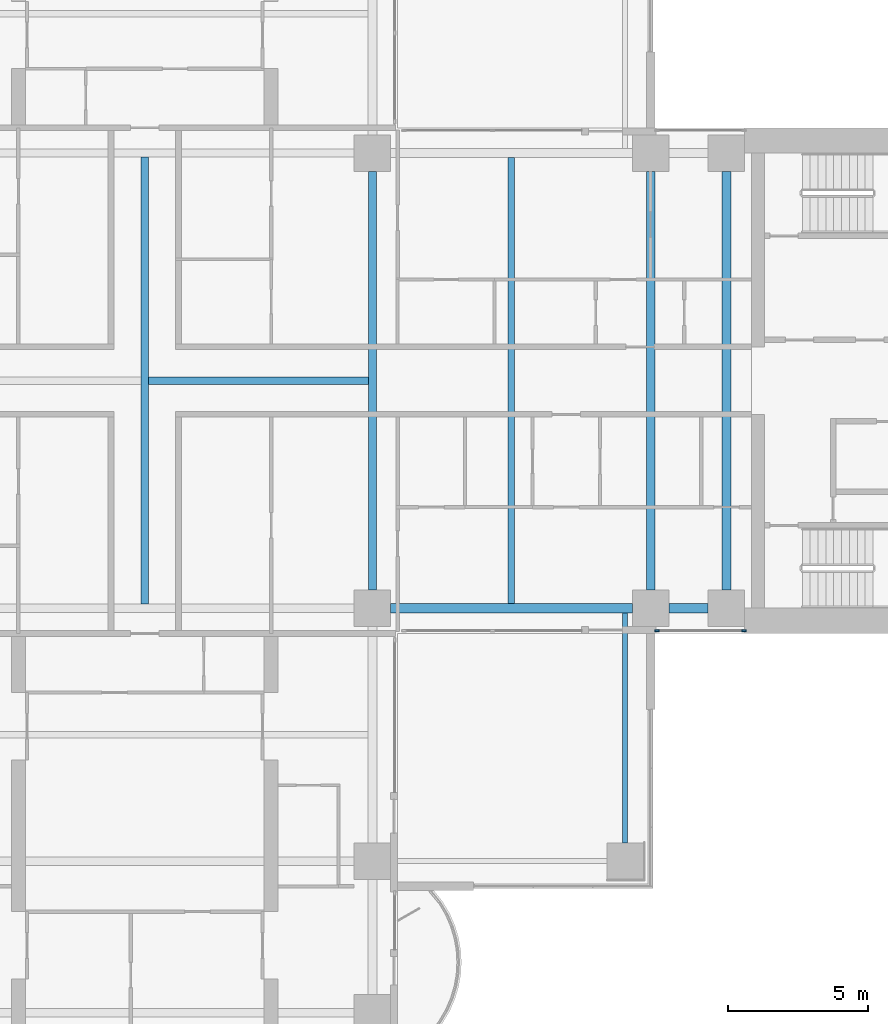
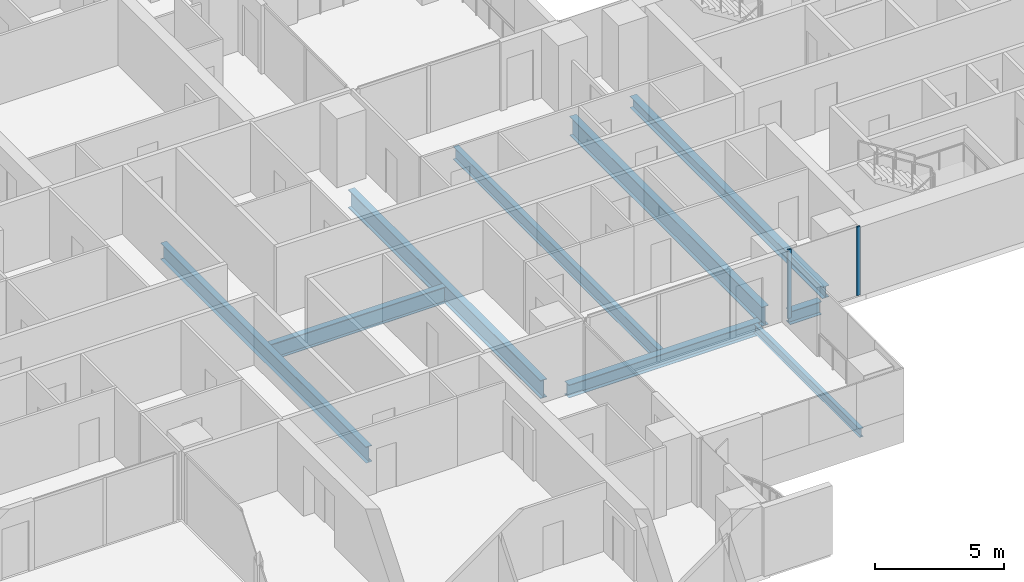
# One storey, part 4 of 20: 9 beams, 2 members, 1 element without a shape of its own.
"""IFC4 building model written with IfcOpenShell, lengths in metres."""

from ifc_helpers import new_model, si_unit, direction, frame, origin, origin_2d, place, context, subcontext, project, spatial, rectangle, i_section, extrude, material, material_profile, profile_set, type_object, element, aggregate, save


model = new_model("IFC4")

# Units and contexts
model_context = context("Model", 3, precision=1e-05, world=origin(), true_north=direction((0.0, 1.0)))
body_context = subcontext(model_context, "Body", "Model", "MODEL_VIEW")
ifc_project = project(units=[si_unit("LENGTHUNIT", "METRE"), si_unit("AREAUNIT", "SQUARE_METRE"), si_unit("VOLUMEUNIT", "CUBIC_METRE"), si_unit("PLANEANGLEUNIT", "RADIAN"), si_unit("MASSUNIT", "GRAM", prefix="KILO")], contexts=[model_context])

# Site, building, storey
site_placement = place(None, origin())
site = spatial("IfcSite", under=ifc_project, at=site_placement, CompositionType="ELEMENT")
building_placement = place(site_placement, origin())
building = spatial("IfcBuilding", under=site, at=building_placement, Name="Perihelion Cross Residences", CompositionType="ELEMENT")
storey_placement = place(building_placement, frame((0.0, 0.0, 68.0)))
storey = spatial("IfcBuildingStorey", under=building, at=storey_placement, Name="L14", CompositionType="ELEMENT", Elevation=68.0)

# Curtain wall, members
ifc_material_1 = material(Name="Bronze anodised aluminium, tinted glazing", Category="aluminium")
curtain_wall_type = type_object("IfcCurtainWallType", Name="CW1", PredefinedType="NOTDEFINED", material=ifc_material_1)
curtain_wall_placement = place(storey_placement, origin())
curtain_wall = element("IfcCurtainWall", 1, at=curtain_wall_placement, inside=storey, type_object=curtain_wall_type, Name="Curtain wall CW1 L14 east side south bay 2", PredefinedType="NOTDEFINED")
ifc_material_2 = material(Name="Bronze anodised aluminium", Category="aluminium")
ifc_material_profile_1 = material_profile(ifc_material_2, rectangle(XDim=0.06005859375, YDim=0.159912109375, at=origin_2d()), Name="CW1 mullion")
ifc_profile_set_1 = profile_set([ifc_material_profile_1], Name="Bronze anodised aluminium")
member_type = type_object("IfcMemberType", Name="CW1 mullion", PredefinedType="MULLION", material=ifc_profile_set_1)
member_1_placement = place(storey_placement, frame((18.22998046875, -8.89990234375, 0.0), z_axis=(0.0, 0.0, 1.0), x_axis=(0.0, 1.0, 0.0)))
member_1 = element("IfcMember", 2, at=member_1_placement, type_object=member_type, Name="CW1 mullion 1", PredefinedType="MULLION", context=body_context, shape_type="SweptSolid", body=[
    extrude(rectangle(XDim=0.06005859375, YDim=0.159912109375, at=origin_2d()), origin(), (0.0, 0.0, 1.0), 3.25),
])
member_2_placement = place(storey_placement, frame((21.320068359375, -8.89990234375, 0.0), z_axis=(0.0, 0.0, 1.0), x_axis=(0.0, 1.0, 0.0)))
member_2 = element("IfcMember", 3, at=member_2_placement, type_object=member_type, Name="CW1 mullion 2", PredefinedType="MULLION", context=body_context, shape_type="SweptSolid", body=[
    extrude(rectangle(XDim=0.06005859375, YDim=0.159912109375, at=origin_2d()), origin(), (0.0, 0.0, 1.0), 3.25),
])
aggregate(curtain_wall, [member_1, member_2])

# Beams
ifc_material_3 = material(Name="Steel S355", Category="steel")
ifc_material_profile_2 = material_profile(ifc_material_3, i_section(OverallWidth=0.177978515625, OverallDepth=0.406005859375, WebThickness=0.0078125, FlangeThickness=0.0126953125, at=origin_2d()), Name="W410x60")
ifc_profile_set_2 = profile_set([ifc_material_profile_2], Name="Steel S355")
beam_type_1 = type_object("IfcBeamType", Name="Core edge beam W410x60", PredefinedType="BEAM", material=ifc_profile_set_2)
beam_1_placement = place(storey_placement, frame((17.10009765625, -8.262451171875, -0.452880859375), z_axis=(0.0, -1.0, 0.0), x_axis=(1.0, 0.0, 0.0)))
element("IfcBeam", 4, at=beam_1_placement, inside=storey, type_object=beam_type_1, Name="Core edge beam TB2 L14 corner no. 5", PredefinedType="BEAM", context=body_context, shape_type="SweptSolid", body=[
    extrude(i_section(OverallWidth=0.177978515625, OverallDepth=0.406005859375, WebThickness=0.0078125, FlangeThickness=0.0126953125, at=origin_2d()), origin(), (0.0, 0.0, 1.0), 8.1875),
])
ifc_material_4 = material(Name="Steel S355", Category="steel")
ifc_material_profile_3 = material_profile(ifc_material_4, i_section(OverallWidth=0.31201171875, OverallDepth=0.5439453125, WebThickness=0.0126953125, FlangeThickness=0.020263671875, at=origin_2d()), Name="W530x150")
ifc_profile_set_3 = profile_set([ifc_material_profile_3], Name="Steel S355")
beam_type_2 = type_object("IfcBeamType", Name="Core edge beam W530x150", PredefinedType="BEAM", material=ifc_profile_set_3)
beam_2_placement = place(storey_placement, frame((20.699951171875, -7.449951171875, -0.52197265625), z_axis=(0.0, 1.0, 0.0), x_axis=(-1.0, 0.0, 0.0)))
element("IfcBeam", 5, at=beam_2_placement, inside=storey, type_object=beam_type_2, Name="Core edge beam TB4 L14 no. 2", PredefinedType="BEAM", context=body_context, shape_type="SweptSolid", body=[
    extrude(i_section(OverallWidth=0.31201171875, OverallDepth=0.5439453125, WebThickness=0.0126953125, FlangeThickness=0.020263671875, at=origin_2d()), origin(), (0.0, 0.0, 1.0), 14.89990234375),
])
ifc_material_5 = material(Name="Steel S355", Category="steel")
ifc_material_profile_4 = material_profile(ifc_material_5, i_section(OverallWidth=0.324951171875, OverallDepth=0.616943359375, WebThickness=0.013916015625, FlangeThickness=0.021484375, at=origin_2d()), Name="W610x174")
ifc_profile_set_4 = profile_set([ifc_material_profile_4], Name="Steel S355")
beam_type_3 = type_object("IfcBeamType", Name="Edge beam W610x174", PredefinedType="SPANDREL", material=ifc_profile_set_4)
beam_3_placement = place(storey_placement, frame((8.75, -8.10009765625, -0.55859375), z_axis=(1.0, 0.0, 0.0), x_axis=(0.0, 1.0, 0.0)))
element("IfcBeam", 6, at=beam_3_placement, inside=storey, type_object=beam_type_3, Name="Edge beam SB2 L14 no. 18", PredefinedType="SPANDREL", context=body_context, shape_type="SweptSolid", body=[
    extrude(i_section(OverallWidth=0.324951171875, OverallDepth=0.616943359375, WebThickness=0.013916015625, FlangeThickness=0.021484375, at=origin_2d()), origin(), (0.0, 0.0, 1.0), 8.60009765625),
])
beam_4_placement = place(storey_placement, frame((18.64990234375, -8.10009765625, -0.55859375), z_axis=(1.0, 0.0, 0.0), x_axis=(0.0, 1.0, 0.0)))
element("IfcBeam", 7, at=beam_4_placement, inside=storey, type_object=beam_type_3, Name="Edge beam SB2 L14 no. 12", PredefinedType="SPANDREL", context=body_context, shape_type="SweptSolid", body=[
    extrude(i_section(OverallWidth=0.324951171875, OverallDepth=0.616943359375, WebThickness=0.013916015625, FlangeThickness=0.021484375, at=origin_2d()), origin(), (0.0, 0.0, 1.0), 1.400146484375),
])
ifc_material_6 = material(Name="Steel S355", Category="steel")
ifc_material_profile_5 = material_profile(ifc_material_6, i_section(OverallWidth=0.304931640625, OverallDepth=0.904052734375, WebThickness=0.01513671875, FlangeThickness=0.02001953125, at=origin_2d()), Name="W920x201")
ifc_profile_set_5 = profile_set([ifc_material_profile_5], Name="Steel S355")
beam_type_4 = type_object("IfcBeamType", Name="Floor girder W920x201", PredefinedType="BEAM", material=ifc_profile_set_5)
beam_5_placement = place(storey_placement, frame((18.0, -7.449951171875, -0.701904296875), z_axis=(0.0, 1.0, 0.0), x_axis=(-1.0, 0.0, 0.0)))
element("IfcBeam", 8, at=beam_5_placement, inside=storey, type_object=beam_type_4, Name="Girder G2 L14 no. 2", PredefinedType="BEAM", context=body_context, shape_type="SweptSolid", body=[
    extrude(i_section(OverallWidth=0.304931640625, OverallDepth=0.904052734375, WebThickness=0.01513671875, FlangeThickness=0.02001953125, at=origin_2d()), origin(), (0.0, 0.0, 1.0), 14.89990234375),
])
ifc_material_7 = material(Name="Steel S355", Category="steel")
ifc_material_profile_6 = material_profile(ifc_material_7, i_section(OverallWidth=0.22900390625, OverallDepth=0.612060546875, WebThickness=0.011962890625, FlangeThickness=0.01953125, at=origin_2d()), Name="W610x125")
ifc_profile_set_6 = profile_set([ifc_material_profile_6], Name="Steel S355")
beam_type_5 = type_object("IfcBeamType", Name="Floor joist W610x125", PredefinedType="JOIST", material=ifc_profile_set_6)
beam_6_placement = place(storey_placement, frame((13.050048828125, -7.9375, -0.555908203125), z_axis=(0.0, 1.0, 0.0), x_axis=(-1.0, 0.0, 0.0)))
element("IfcBeam", 9, at=beam_6_placement, inside=storey, type_object=beam_type_5, Name="Joist J3 L14 no. 2", PredefinedType="JOIST", context=body_context, shape_type="SweptSolid", body=[
    extrude(i_section(OverallWidth=0.22900390625, OverallDepth=0.612060546875, WebThickness=0.011962890625, FlangeThickness=0.01953125, at=origin_2d()), origin(), (0.0, 0.0, 1.0), 15.875),
])
ifc_material_8 = material(Name="Steel S355", Category="steel")
ifc_material_profile_7 = material_profile(ifc_material_8, i_section(OverallWidth=0.26708984375, OverallDepth=0.77001953125, WebThickness=0.015625, FlangeThickness=0.025390625, at=origin_2d()), Name="W760x196")
ifc_profile_set_7 = profile_set([ifc_material_profile_7], Name="Steel S355")
beam_type_6 = type_object("IfcBeamType", Name="Hub cross beam W760x196", PredefinedType="BEAM", material=ifc_profile_set_7)
beam_7_placement = place(storey_placement, frame((0.0, -7.9541015625, -0.635009765625), z_axis=(0.0, 1.0, 0.0), x_axis=(-1.0, 0.0, 0.0)))
element("IfcBeam", 10, at=beam_7_placement, inside=storey, type_object=beam_type_6, Name="Hub cross beam XB2 L14 no. 1", PredefinedType="BEAM", context=body_context, shape_type="SweptSolid", body=[
    extrude(i_section(OverallWidth=0.26708984375, OverallDepth=0.77001953125, WebThickness=0.015625, FlangeThickness=0.025390625, at=origin_2d()), origin(), (0.0, 0.0, 1.0), 15.908203125),
])
beam_8_placement = place(storey_placement, frame((0.133544921875, 0.0, -0.635009765625), z_axis=(1.0, 0.0, 0.0), x_axis=(0.0, 1.0, 0.0)))
element("IfcBeam", 11, at=beam_8_placement, inside=storey, type_object=beam_type_6, Name="Hub cross beam XB2 L14 2 no. 1", PredefinedType="BEAM", context=body_context, shape_type="SweptSolid", body=[
    extrude(i_section(OverallWidth=0.26708984375, OverallDepth=0.77001953125, WebThickness=0.015625, FlangeThickness=0.025390625, at=origin_2d()), origin(), (0.0, 0.0, 1.0), 7.820556640625),
])
ifc_material_9 = material(Name="Steel S355", Category="steel")
ifc_material_profile_8 = material_profile(ifc_material_9, i_section(OverallWidth=0.2919921875, OverallDepth=0.85888671875, WebThickness=0.01708984375, FlangeThickness=0.031005859375, at=origin_2d()), Name="W840x251")
ifc_profile_set_8 = profile_set([ifc_material_profile_8], Name="Steel S355")
beam_type_7 = type_object("IfcBeamType", Name="Hub ring girder W840x251", PredefinedType="BEAM", material=ifc_profile_set_8)
beam_9_placement = place(storey_placement, frame((8.10009765625, -7.449951171875, -0.679443359375), z_axis=(0.0, 1.0, 0.0), x_axis=(-1.0, 0.0, 0.0)))
element("IfcBeam", 12, at=beam_9_placement, inside=storey, type_object=beam_type_7, Name="Hub ring girder RG2 L14 no. 3", PredefinedType="BEAM", context=body_context, shape_type="SweptSolid", body=[
    extrude(i_section(OverallWidth=0.2919921875, OverallDepth=0.85888671875, WebThickness=0.01708984375, FlangeThickness=0.031005859375, at=origin_2d()), origin(), (0.0, 0.0, 1.0), 14.89990234375),
])

save(model, "model.ifc")
